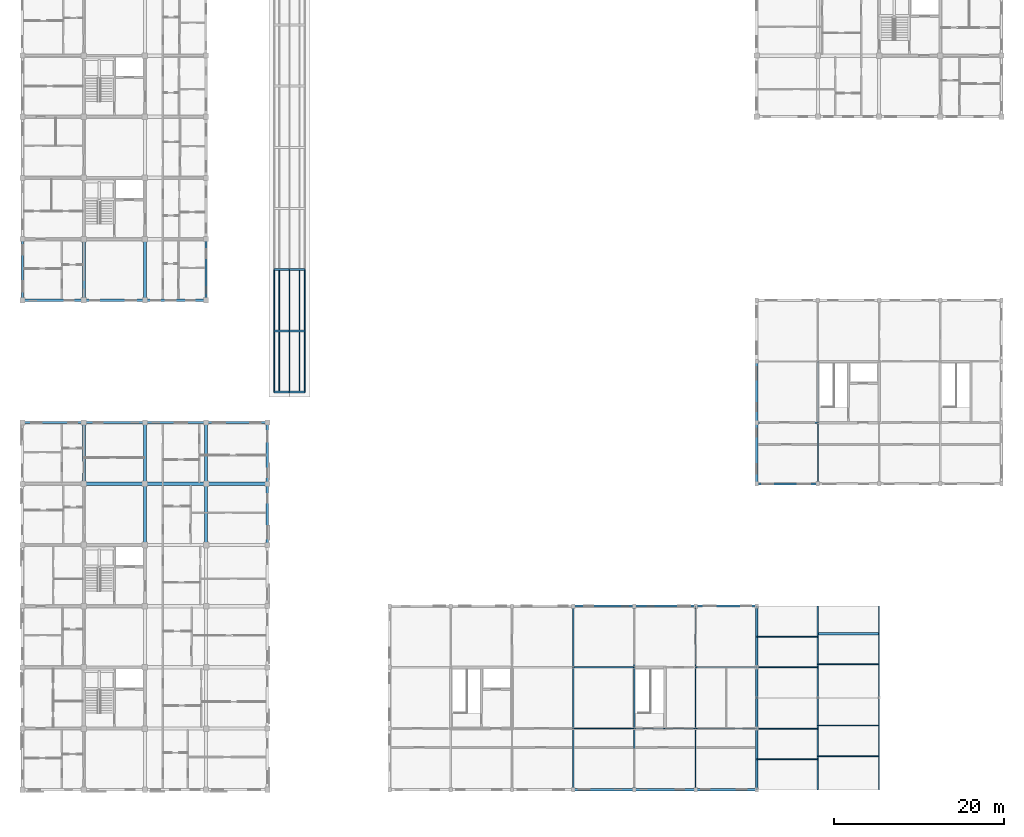
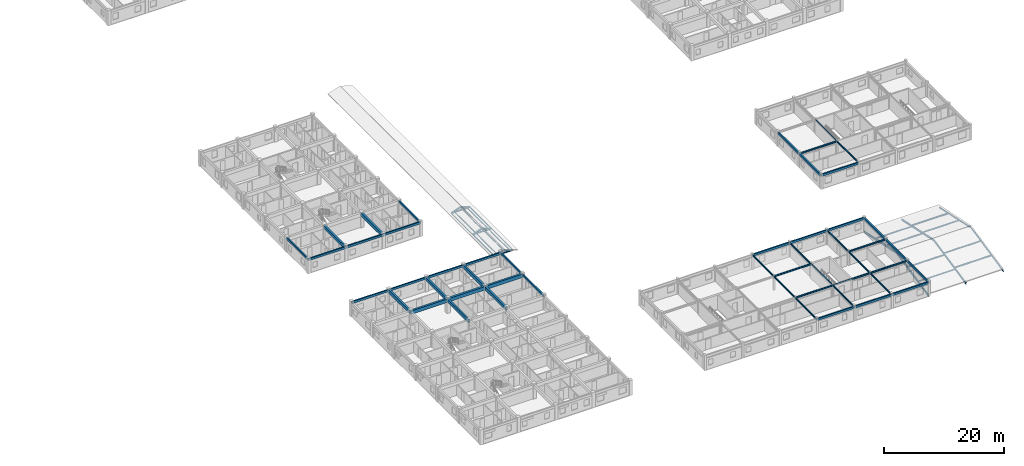
# One storey, part 9 of 50: 71 beams, 12 members.
"""IFC4 building model written with IfcOpenShell, lengths in metres."""

from ifc_helpers import new_model, si_unit, direction, frame, origin, origin_2d, place, context, subcontext, project, spatial, rectangle, i_section, extrude, material, material_profile, profile_set, type_object, element, save


model = new_model("IFC4")

# Units and contexts
model_context = context("Model", 3, precision=1e-05, world=origin(), true_north=direction((0.0, 1.0)))
body_context = subcontext(model_context, "Body", "Model", "MODEL_VIEW")
ifc_project = project(units=[si_unit("LENGTHUNIT", "METRE"), si_unit("AREAUNIT", "SQUARE_METRE"), si_unit("VOLUMEUNIT", "CUBIC_METRE"), si_unit("PLANEANGLEUNIT", "RADIAN"), si_unit("MASSUNIT", "GRAM", prefix="KILO"), si_unit("THERMODYNAMICTEMPERATUREUNIT", "KELVIN"), si_unit("POWERUNIT", "WATT")], contexts=[model_context])

# Site, building, storey
site_placement = place(None, origin())
site = spatial("IfcSite", under=ifc_project, at=site_placement, CompositionType="ELEMENT")
building_placement = place(site_placement, origin())
building = spatial("IfcBuilding", under=site, at=building_placement, Name="Tavuni Mirador Residences", CompositionType="ELEMENT")
storey_placement = place(building_placement, frame((0.0, 0.0, 4.5)))
storey = spatial("IfcBuildingStorey", under=building, at=storey_placement, Name="L01", CompositionType="ELEMENT", Elevation=4.5)

# Beams
ifc_material_1 = material(Name="Precast concrete C40/50", Category="concrete")
ifc_material_profile_1 = material_profile(ifc_material_1, rectangle(XDim=0.35009765625, YDim=0.64990234375, at=origin_2d()), Name="PC 350x650", Category="concrete")
ifc_profile_set_1 = profile_set([ifc_material_profile_1], Name="Precast concrete C40/50")
beam_type_1 = type_object("IfcBeamType", Name="BT-B650", PredefinedType="BEAM", material=ifc_profile_set_1)
for number, where, z_axis, x_axis, name in (
    (1, (10.800048828125, 43.199951171875, 2.544921875), (0.0, 1.0, 0.0), (-1.0, 0.0, 0.0), "BMY-BLK-A-L01-01-05"),
    (2, (18.0, 36.0, 2.544921875), (0.0, 1.0, 0.0), (-1.0, 0.0, 0.0), "BMY-BLK-A-L01-02-04"),
    (3, (18.0, 43.199951171875, 2.544921875), (0.0, 1.0, 0.0), (-1.0, 0.0, 0.0), "BMY-BLK-A-L01-02-05"),
    (4, (25.199951171875, 36.0, 2.544921875), (0.0, 1.0, 0.0), (-1.0, 0.0, 0.0), "BMY-BLK-A-L01-03-04"),
    (5, (25.199951171875, 43.199951171875, 2.544921875), (0.0, 1.0, 0.0), (-1.0, 0.0, 0.0), "BMY-BLK-A-L01-03-05"),
    (6, (10.800048828125, 64.800048828125, 2.5849609375), (0.0, 1.0, 0.0), (-1.0, 0.0, 0.0), "BMY-BLK-B-L01-01-00"),
    (7, (18.0, 64.800048828125, 2.5849609375), (0.0, 1.0, 0.0), (-1.0, 0.0, 0.0), "BMY-BLK-B-L01-02-00"),
):
    element("IfcBeam", number, at=place(storey_placement, frame(where, z_axis=z_axis, x_axis=x_axis)), inside=storey, type_object=beam_type_1, Name=name, PredefinedType="BEAM", context=body_context, shape_type="SweptSolid", body=[
        extrude(rectangle(XDim=0.35009765625, YDim=0.64990234375, at=origin_2d()), origin(), (0.0, 0.0, 1.0), 7.199951171875),
    ])
ifc_material_profile_2 = material_profile(ifc_material_1, rectangle(XDim=0.39990234375, YDim=0.699951171875, at=origin_2d()), Name="PC 400x700", Category="concrete")
ifc_profile_set_2 = profile_set([ifc_material_profile_2], Name="Precast concrete C40/50")
beam_type_2 = type_object("IfcBeamType", Name="BT-B700", PredefinedType="BEAM", material=ifc_profile_set_2)
for number, where, z_axis, x_axis, name in (
    (8, (10.800048828125, 43.199951171875, 2.52001953125), (1.0, 0.0, 0.0), (0.0, 1.0, 0.0), "BMX-BLK-A-L01-01-05"),
    (9, (18.0, 43.199951171875, 2.52001953125), (1.0, 0.0, 0.0), (0.0, 1.0, 0.0), "BMX-BLK-A-L01-02-05"),
    (10, (25.199951171875, 43.199951171875, 2.52001953125), (1.0, 0.0, 0.0), (0.0, 1.0, 0.0), "BMX-BLK-A-L01-03-05"),
):
    element("IfcBeam", number, at=place(storey_placement, frame(where, z_axis=z_axis, x_axis=x_axis)), inside=storey, type_object=beam_type_2, Name=name, PredefinedType="BEAM", context=body_context, shape_type="SweptSolid", body=[
        extrude(rectangle(XDim=0.39990234375, YDim=0.699951171875, at=origin_2d()), origin(), (0.0, 0.0, 1.0), 7.199951171875),
    ])
ifc_material_profile_3 = material_profile(ifc_material_1, rectangle(XDim=0.25, YDim=0.419921875, at=origin_2d()), Name="PC 250x420", Category="concrete")
ifc_profile_set_3 = profile_set([ifc_material_profile_3], Name="Precast concrete C40/50")
beam_type_3 = type_object("IfcBeamType", Name="BT-SP420", PredefinedType="SPANDREL", material=ifc_profile_set_3)
for number, where, z_axis, x_axis, name in (
    (11, (3.60009765625, 50.39990234375, 2.659912109375), (1.0, 0.0, 0.0), (0.0, 1.0, 0.0), "BMX-BLK-A-L01-00-06"),
    (12, (10.800048828125, 50.39990234375, 2.659912109375), (1.0, 0.0, 0.0), (0.0, 1.0, 0.0), "BMX-BLK-A-L01-01-06"),
    (13, (18.0, 50.39990234375, 2.659912109375), (1.0, 0.0, 0.0), (0.0, 1.0, 0.0), "BMX-BLK-A-L01-02-06"),
    (14, (25.199951171875, 50.39990234375, 2.659912109375), (1.0, 0.0, 0.0), (0.0, 1.0, 0.0), "BMX-BLK-A-L01-03-06"),
    (15, (32.39990234375, 36.0, 2.659912109375), (0.0, 1.0, 0.0), (-1.0, 0.0, 0.0), "BMY-BLK-A-L01-04-04"),
    (16, (32.39990234375, 43.199951171875, 2.659912109375), (0.0, 1.0, 0.0), (-1.0, 0.0, 0.0), "BMY-BLK-A-L01-04-05"),
    (17, (3.60009765625, 64.800048828125, 2.699951171875), (1.0, 0.0, 0.0), (0.0, 1.0, 0.0), "BMX-BLK-B-L01-00-00"),
    (18, (10.800048828125, 64.800048828125, 2.699951171875), (1.0, 0.0, 0.0), (0.0, 1.0, 0.0), "BMX-BLK-B-L01-01-00"),
    (19, (18.0, 64.800048828125, 2.699951171875), (1.0, 0.0, 0.0), (0.0, 1.0, 0.0), "BMX-BLK-B-L01-02-00"),
    (20, (3.60009765625, 64.800048828125, 2.699951171875), (0.0, 1.0, 0.0), (-1.0, 0.0, 0.0), "BMY-BLK-B-L01-00-00"),
    (21, (25.199951171875, 64.800048828125, 2.699951171875), (0.0, 1.0, 0.0), (-1.0, 0.0, 0.0), "BMY-BLK-B-L01-03-00"),
    (22, (90.0, 43.199951171875, 2.7099609375), (1.0, 0.0, 0.0), (0.0, 1.0, 0.0), "BMX-PAV-NURS-L01-00-00"),
    (23, (90.0, 43.199951171875, 2.7099609375), (0.0, 1.0, 0.0), (-1.0, 0.0, 0.0), "BMY-PAV-NURS-L01-00-00"),
):
    element("IfcBeam", number, at=place(storey_placement, frame(where, z_axis=z_axis, x_axis=x_axis)), inside=storey, type_object=beam_type_3, Name=name, PredefinedType="SPANDREL", context=body_context, shape_type="SweptSolid", body=[
        extrude(rectangle(XDim=0.25, YDim=0.419921875, at=origin_2d()), origin(), (0.0, 0.0, 1.0), 7.199951171875),
    ])
for number, where, z_axis, x_axis, name in (
    (24, (90.0, 50.39990234375, 2.7099609375), (0.0, 1.0, 0.0), (-1.0, 0.0, 0.0), "BMY-PAV-NURS-L01-00-01"),
    (25, (68.39990234375, 7.199951171875, 2.7099609375), (1.0, 0.0, 0.0), (0.0, 1.0, 0.0), "BMX-PAV-SHOP-L01-03-00"),
):
    element("IfcBeam", number, at=place(storey_placement, frame(where, z_axis=z_axis, x_axis=x_axis)), inside=storey, type_object=beam_type_3, Name=name, PredefinedType="SPANDREL", context=body_context, shape_type="SweptSolid", body=[
        extrude(rectangle(XDim=0.25, YDim=0.419921875, at=origin_2d()), origin(), (0.0, 0.0, 1.0), 7.2001953125),
    ])
for number, where, z_axis, x_axis, name in (
    (26, (75.60009765625, 7.199951171875, 2.7099609375), (1.0, 0.0, 0.0), (0.0, 1.0, 0.0), "BMX-PAV-SHOP-L01-04-00"),
    (27, (82.800048828125, 7.199951171875, 2.7099609375), (1.0, 0.0, 0.0), (0.0, 1.0, 0.0), "BMX-PAV-SHOP-L01-05-00"),
):
    element("IfcBeam", number, at=place(storey_placement, frame(where, z_axis=z_axis, x_axis=x_axis)), inside=storey, type_object=beam_type_3, Name=name, PredefinedType="SPANDREL", context=body_context, shape_type="SweptSolid", body=[
        extrude(rectangle(XDim=0.25, YDim=0.419921875, at=origin_2d()), origin(), (0.0, 0.0, 1.0), 7.199951171875),
    ])
beam_1_placement = place(storey_placement, frame((68.39990234375, 28.800048828125, 2.7099609375), z_axis=(1.0, 0.0, 0.0), x_axis=(0.0, 1.0, 0.0)))
element("IfcBeam", 28, at=beam_1_placement, inside=storey, type_object=beam_type_3, Name="BMX-PAV-SHOP-L01-03-03", PredefinedType="SPANDREL", context=body_context, shape_type="SweptSolid", body=[
    extrude(rectangle(XDim=0.25, YDim=0.419921875, at=origin_2d()), origin(), (0.0, 0.0, 1.0), 7.2001953125),
])
for number, where, z_axis, x_axis, name in (
    (29, (75.60009765625, 28.800048828125, 2.7099609375), (1.0, 0.0, 0.0), (0.0, 1.0, 0.0), "BMX-PAV-SHOP-L01-04-03"),
    (30, (82.800048828125, 28.800048828125, 2.7099609375), (1.0, 0.0, 0.0), (0.0, 1.0, 0.0), "BMX-PAV-SHOP-L01-05-03"),
    (31, (90.0, 7.199951171875, 2.7099609375), (0.0, 1.0, 0.0), (-1.0, 0.0, 0.0), "BMY-PAV-SHOP-L01-06-00"),
):
    element("IfcBeam", number, at=place(storey_placement, frame(where, z_axis=z_axis, x_axis=x_axis)), inside=storey, type_object=beam_type_3, Name=name, PredefinedType="SPANDREL", context=body_context, shape_type="SweptSolid", body=[
        extrude(rectangle(XDim=0.25, YDim=0.419921875, at=origin_2d()), origin(), (0.0, 0.0, 1.0), 7.199951171875),
    ])
beam_2_placement = place(storey_placement, frame((90.0, 14.39990234375, 2.7099609375), z_axis=(0.0, 1.0, 0.0), x_axis=(-1.0, 0.0, 0.0)))
element("IfcBeam", 32, at=beam_2_placement, inside=storey, type_object=beam_type_3, Name="BMY-PAV-SHOP-L01-06-01", PredefinedType="SPANDREL", context=body_context, shape_type="SweptSolid", body=[
    extrude(rectangle(XDim=0.25, YDim=0.419921875, at=origin_2d()), origin(), (0.0, 0.0, 1.0), 7.2001953125),
])
beam_3_placement = place(storey_placement, frame((90.0, 21.60009765625, 2.7099609375), z_axis=(0.0, 1.0, 0.0), x_axis=(-1.0, 0.0, 0.0)))
element("IfcBeam", 33, at=beam_3_placement, inside=storey, type_object=beam_type_3, Name="BMY-PAV-SHOP-L01-06-02", PredefinedType="SPANDREL", context=body_context, shape_type="SweptSolid", body=[
    extrude(rectangle(XDim=0.25, YDim=0.419921875, at=origin_2d()), origin(), (0.0, 0.0, 1.0), 7.199951171875),
])
ifc_material_2 = material(Name="Structural steel S355", Category="steel")
ifc_material_profile_4 = material_profile(ifc_material_2, i_section(OverallWidth=0.219970703125, OverallDepth=0.2099609375, WebThickness=0.007080078125, FlangeThickness=0.010986328125, FilletRadius=0.01806640625, at=origin_2d()), Name="HEA 220", Category="steel")
ifc_profile_set_4 = profile_set([ifc_material_profile_4], Name="Structural steel S355")
beam_type_4 = type_object("IfcBeamType", Name="BT-ST-HEA220", PredefinedType="SPANDREL", material=ifc_profile_set_4)
for number, where, z_axis, x_axis, name in (
    (34, (33.199951171875, 54.0, -0.419921875), (1.0, 0.0, 0.0), (0.0, 1.0, 0.0), "COLO-TIE-00"),
    (35, (33.199951171875, 61.199951171875, -0.419921875), (1.0, 0.0, 0.0), (0.0, 1.0, 0.0), "COLO-TIE-01"),
    (36, (33.199951171875, 68.39990234375, -0.419921875), (1.0, 0.0, 0.0), (0.0, 1.0, 0.0), "COLO-TIE-02"),
):
    element("IfcBeam", number, at=place(storey_placement, frame(where, z_axis=z_axis, x_axis=x_axis)), inside=storey, type_object=beam_type_4, Name=name, PredefinedType="SPANDREL", context=body_context, shape_type="SweptSolid", body=[
        extrude(i_section(OverallWidth=0.219970703125, OverallDepth=0.2099609375, WebThickness=0.007080078125, FlangeThickness=0.010986328125, FilletRadius=0.01806640625, at=origin_2d()), origin(), (0.0, 0.0, 1.0), 3.60009765625),
    ])
ifc_material_profile_5 = material_profile(ifc_material_2, i_section(OverallWidth=0.260009765625, OverallDepth=0.25, WebThickness=0.007568359375, FlangeThickness=0.012451171875, FilletRadius=0.02392578125, at=origin_2d()), Name="HEA 260", Category="steel")
ifc_profile_set_5 = profile_set([ifc_material_profile_5], Name="Structural steel S355")
beam_type_5 = type_object("IfcBeamType", Name="BT-ST-HEA260", PredefinedType="BEAM", material=ifc_profile_set_5)
beam_4_placement = place(storey_placement, frame((97.22998046875, 25.56005859375, 0.635009765625), z_axis=(1.0, 0.0, 0.0), x_axis=(0.0, 1.0, 0.0)))
element("IfcBeam", 37, at=beam_4_placement, inside=storey, type_object=beam_type_5, Name="JST-SHOP-CP-4-2", PredefinedType="BEAM", context=body_context, shape_type="SweptSolid", body=[
    extrude(i_section(OverallWidth=0.260009765625, OverallDepth=0.25, WebThickness=0.007568359375, FlangeThickness=0.012451171875, FilletRadius=0.02392578125, at=origin_2d()), origin(), (0.0, 0.0, 1.0), 7.14013671875),
])
ifc_material_profile_6 = material_profile(ifc_material_2, i_section(OverallWidth=0.091064453125, OverallDepth=0.179931640625, WebThickness=0.00537109375, FlangeThickness=0.008056640625, FilletRadius=0.009033203125, at=origin_2d()), Name="IPE 180", Category="steel")
ifc_profile_set_6 = profile_set([ifc_material_profile_6], Name="Structural steel S355")
beam_type_6 = type_object("IfcBeamType", Name="BT-ST-IPE180", PredefinedType="JOIST", material=ifc_profile_set_6)
beam_5_placement = place(storey_placement, frame((97.22998046875, 21.9599609375, 1.385009765625), z_axis=(1.0, 0.0, 0.0), x_axis=(0.0, 1.0, 0.0)))
element("IfcBeam", 38, at=beam_5_placement, inside=storey, type_object=beam_type_6, Name="JST-SHOP-CP-3-2", PredefinedType="JOIST", context=body_context, shape_type="SweptSolid", body=[
    extrude(i_section(OverallWidth=0.091064453125, OverallDepth=0.179931640625, WebThickness=0.00537109375, FlangeThickness=0.008056640625, FilletRadius=0.009033203125, at=origin_2d()), origin(), (0.0, 0.0, 1.0), 7.14013671875),
])
beam_6_placement = place(storey_placement, frame((90.030029296875, 25.199951171875, 0.7099609375), z_axis=(1.0, 0.0, 0.0), x_axis=(0.0, 1.0, 0.0)))
element("IfcBeam", 39, at=beam_6_placement, inside=storey, type_object=beam_type_6, Name="JST-SHOP-CP-4-1", PredefinedType="JOIST", context=body_context, shape_type="SweptSolid", body=[
    extrude(i_section(OverallWidth=0.091064453125, OverallDepth=0.179931640625, WebThickness=0.00537109375, FlangeThickness=0.008056640625, FilletRadius=0.009033203125, at=origin_2d()), origin(), (0.0, 0.0, 1.0), 7.139892578125),
])
ifc_material_profile_7 = material_profile(ifc_material_2, i_section(OverallWidth=0.10009765625, OverallDepth=0.199951171875, WebThickness=0.005615234375, FlangeThickness=0.008544921875, FilletRadius=0.011962890625, at=origin_2d()), Name="IPE 200", Category="steel")
ifc_profile_set_7 = profile_set([ifc_material_profile_7], Name="Structural steel S355")
beam_type_7 = type_object("IfcBeamType", Name="BT-ST-IPE200", PredefinedType="JOIST", material=ifc_profile_set_7)
beam_7_placement = place(storey_placement, frame((97.22998046875, 14.760009765625, 1.534912109375), z_axis=(1.0, 0.0, 0.0), x_axis=(0.0, 1.0, 0.0)))
element("IfcBeam", 40, at=beam_7_placement, inside=storey, type_object=beam_type_7, Name="JST-SHOP-CP-2-2", PredefinedType="JOIST", context=body_context, shape_type="SweptSolid", body=[
    extrude(i_section(OverallWidth=0.10009765625, OverallDepth=0.199951171875, WebThickness=0.005615234375, FlangeThickness=0.008544921875, FilletRadius=0.011962890625, at=origin_2d()), origin(), (0.0, 0.0, 1.0), 7.14013671875),
])
beam_8_placement = place(storey_placement, frame((90.030029296875, 21.60009765625, 1.4599609375), z_axis=(1.0, 0.0, 0.0), x_axis=(0.0, 1.0, 0.0)))
element("IfcBeam", 41, at=beam_8_placement, inside=storey, type_object=beam_type_7, Name="JST-SHOP-CP-3-1", PredefinedType="JOIST", context=body_context, shape_type="SweptSolid", body=[
    extrude(i_section(OverallWidth=0.10009765625, OverallDepth=0.199951171875, WebThickness=0.005615234375, FlangeThickness=0.008544921875, FilletRadius=0.011962890625, at=origin_2d()), origin(), (0.0, 0.0, 1.0), 7.139892578125),
])
ifc_material_profile_8 = material_profile(ifc_material_2, i_section(OverallWidth=0.110107421875, OverallDepth=0.219970703125, WebThickness=0.005859375, FlangeThickness=0.00927734375, FilletRadius=0.011962890625, at=origin_2d()), Name="IPE 220", Category="steel")
ifc_profile_set_8 = profile_set([ifc_material_profile_8], Name="Structural steel S355")
beam_type_8 = type_object("IfcBeamType", Name="BT-ST-IPE220", PredefinedType="JOIST", material=ifc_profile_set_8)
beam_9_placement = place(storey_placement, frame((97.22998046875, 11.159912109375, 0.784912109375), z_axis=(1.0, 0.0, 0.0), x_axis=(0.0, 1.0, 0.0)))
element("IfcBeam", 42, at=beam_9_placement, inside=storey, type_object=beam_type_8, Name="JST-SHOP-CP-1-2", PredefinedType="JOIST", context=body_context, shape_type="SweptSolid", body=[
    extrude(i_section(OverallWidth=0.110107421875, OverallDepth=0.219970703125, WebThickness=0.005859375, FlangeThickness=0.00927734375, FilletRadius=0.011962890625, at=origin_2d()), origin(), (0.0, 0.0, 1.0), 7.14013671875),
])
beam_10_placement = place(storey_placement, frame((90.030029296875, 14.39990234375, 1.4599609375), z_axis=(1.0, 0.0, 0.0), x_axis=(0.0, 1.0, 0.0)))
element("IfcBeam", 43, at=beam_10_placement, inside=storey, type_object=beam_type_8, Name="JST-SHOP-CP-2-1", PredefinedType="JOIST", context=body_context, shape_type="SweptSolid", body=[
    extrude(i_section(OverallWidth=0.110107421875, OverallDepth=0.219970703125, WebThickness=0.005859375, FlangeThickness=0.00927734375, FilletRadius=0.011962890625, at=origin_2d()), origin(), (0.0, 0.0, 1.0), 7.139892578125),
])
for number, where, z_axis, x_axis, name in (
    (44, (33.199951171875, 54.0, -0.419921875), (0.0, 1.0, 0.0), (-1.0, 0.0, 0.0), "COLO-EB-W-00"),
    (45, (36.800048828125, 54.0, -0.419921875), (0.0, 1.0, 0.0), (-1.0, 0.0, 0.0), "COLO-EB-E-00"),
    (46, (33.199951171875, 61.199951171875, -0.419921875), (0.0, 1.0, 0.0), (-1.0, 0.0, 0.0), "COLO-EB-W-01"),
    (47, (36.800048828125, 61.199951171875, -0.419921875), (0.0, 1.0, 0.0), (-1.0, 0.0, 0.0), "COLO-EB-E-01"),
):
    element("IfcBeam", number, at=place(storey_placement, frame(where, z_axis=z_axis, x_axis=x_axis)), inside=storey, type_object=beam_type_8, Name=name, PredefinedType="JOIST", context=body_context, shape_type="SweptSolid", body=[
        extrude(i_section(OverallWidth=0.110107421875, OverallDepth=0.219970703125, WebThickness=0.005859375, FlangeThickness=0.00927734375, FilletRadius=0.011962890625, at=origin_2d()), origin(), (0.0, 0.0, 1.0), 7.199951171875),
    ])
ifc_material_profile_9 = material_profile(ifc_material_2, i_section(OverallWidth=0.1201171875, OverallDepth=0.239990234375, WebThickness=0.006103515625, FlangeThickness=0.009765625, FilletRadius=0.014892578125, at=origin_2d()), Name="IPE 240", Category="steel")
ifc_profile_set_9 = profile_set([ifc_material_profile_9], Name="Structural steel S355")
beam_type_9 = type_object("IfcBeamType", Name="BT-ST-IPE240", PredefinedType="JOIST", material=ifc_profile_set_9)
beam_11_placement = place(storey_placement, frame((90.030029296875, 10.800048828125, 0.7099609375), z_axis=(1.0, 0.0, 0.0), x_axis=(0.0, 1.0, 0.0)))
element("IfcBeam", 48, at=beam_11_placement, inside=storey, type_object=beam_type_9, Name="JST-SHOP-CP-1-1", PredefinedType="JOIST", context=body_context, shape_type="SweptSolid", body=[
    extrude(i_section(OverallWidth=0.1201171875, OverallDepth=0.239990234375, WebThickness=0.006103515625, FlangeThickness=0.009765625, FilletRadius=0.014892578125, at=origin_2d()), origin(), (0.0, 0.0, 1.0), 7.139892578125),
])
ifc_material_profile_10 = material_profile(ifc_material_2, i_section(OverallWidth=0.135009765625, OverallDepth=0.27001953125, WebThickness=0.006591796875, FlangeThickness=0.01025390625, FilletRadius=0.014892578125, at=origin_2d()), Name="IPE 270", Category="steel")
ifc_profile_set_10 = profile_set([ifc_material_profile_10], Name="Structural steel S355")
beam_type_10 = type_object("IfcBeamType", Name="BT-ST-IPE270", PredefinedType="BEAM", material=ifc_profile_set_10)
for number, where, z_axis, x_axis, name in (
    (49, (104.39990234375, 7.199951171875, -0.080078125), (0.0, 0.977880954574, 0.209162230535), (-1.0, 0.0, 0.0), "RFT-SHOP-CP-3-S"),
    (50, (104.39990234375, 18.0, 2.22998046875), (0.0, 0.977880954574, -0.209162230535), (-1.0, 0.0, 0.0), "RFT-SHOP-CP-3-N"),
):
    element("IfcBeam", number, at=place(storey_placement, frame(where, z_axis=z_axis, x_axis=x_axis)), inside=storey, type_object=beam_type_10, Name=name, PredefinedType="BEAM", context=body_context, shape_type="SweptSolid", body=[
        extrude(i_section(OverallWidth=0.135009765625, OverallDepth=0.27001953125, WebThickness=0.006591796875, FlangeThickness=0.01025390625, FilletRadius=0.014892578125, at=origin_2d()), origin(), (0.0, 0.0, 1.0), 11.04443359375),
    ])
ifc_material_profile_11 = material_profile(ifc_material_2, i_section(OverallWidth=0.14990234375, OverallDepth=0.300048828125, WebThickness=0.007080078125, FlangeThickness=0.0107421875, FilletRadius=0.014892578125, at=origin_2d()), Name="IPE 300", Category="steel")
ifc_profile_set_11 = profile_set([ifc_material_profile_11], Name="Structural steel S355")
beam_type_11 = type_object("IfcBeamType", Name="BT-ST-IPE300", PredefinedType="BEAM", material=ifc_profile_set_11)
beam_12_placement = place(storey_placement, frame((97.199951171875, 43.199951171875, 2.77001953125), z_axis=(0.0, 1.0, 0.0), x_axis=(-1.0, 0.0, 0.0)))
element("IfcBeam", 51, at=beam_12_placement, inside=storey, type_object=beam_type_11, Name="BMY-PAV-NURS-L01-01-00", PredefinedType="BEAM", context=body_context, shape_type="SweptSolid", body=[
    extrude(i_section(OverallWidth=0.14990234375, OverallDepth=0.300048828125, WebThickness=0.007080078125, FlangeThickness=0.0107421875, FilletRadius=0.014892578125, at=origin_2d()), origin(), (0.0, 0.0, 1.0), 7.199951171875),
])
beam_13_placement = place(storey_placement, frame((97.199951171875, 50.39990234375, 2.77001953125), z_axis=(0.0, 1.0, 0.0), x_axis=(-1.0, 0.0, 0.0)))
element("IfcBeam", 52, at=beam_13_placement, inside=storey, type_object=beam_type_11, Name="BMY-PAV-NURS-L01-01-01", PredefinedType="BEAM", context=body_context, shape_type="SweptSolid", body=[
    extrude(i_section(OverallWidth=0.14990234375, OverallDepth=0.300048828125, WebThickness=0.007080078125, FlangeThickness=0.0107421875, FilletRadius=0.014892578125, at=origin_2d()), origin(), (0.0, 0.0, 1.0), 7.2001953125),
])
beam_14_placement = place(storey_placement, frame((68.39990234375, 7.199951171875, 2.77001953125), z_axis=(0.0, 1.0, 0.0), x_axis=(-1.0, 0.0, 0.0)))
element("IfcBeam", 53, at=beam_14_placement, inside=storey, type_object=beam_type_11, Name="BMY-PAV-SHOP-L01-03-00", PredefinedType="BEAM", context=body_context, shape_type="SweptSolid", body=[
    extrude(i_section(OverallWidth=0.14990234375, OverallDepth=0.300048828125, WebThickness=0.007080078125, FlangeThickness=0.0107421875, FilletRadius=0.014892578125, at=origin_2d()), origin(), (0.0, 0.0, 1.0), 7.199951171875),
])
beam_15_placement = place(storey_placement, frame((68.39990234375, 14.39990234375, 2.77001953125), z_axis=(0.0, 1.0, 0.0), x_axis=(-1.0, 0.0, 0.0)))
element("IfcBeam", 54, at=beam_15_placement, inside=storey, type_object=beam_type_11, Name="BMY-PAV-SHOP-L01-03-01", PredefinedType="BEAM", context=body_context, shape_type="SweptSolid", body=[
    extrude(i_section(OverallWidth=0.14990234375, OverallDepth=0.300048828125, WebThickness=0.007080078125, FlangeThickness=0.0107421875, FilletRadius=0.014892578125, at=origin_2d()), origin(), (0.0, 0.0, 1.0), 7.2001953125),
])
for number, where, z_axis, x_axis, name in (
    (55, (68.39990234375, 21.60009765625, 2.77001953125), (0.0, 1.0, 0.0), (-1.0, 0.0, 0.0), "BMY-PAV-SHOP-L01-03-02"),
    (56, (75.60009765625, 7.199951171875, 2.77001953125), (0.0, 1.0, 0.0), (-1.0, 0.0, 0.0), "BMY-PAV-SHOP-L01-04-00"),
):
    element("IfcBeam", number, at=place(storey_placement, frame(where, z_axis=z_axis, x_axis=x_axis)), inside=storey, type_object=beam_type_11, Name=name, PredefinedType="BEAM", context=body_context, shape_type="SweptSolid", body=[
        extrude(i_section(OverallWidth=0.14990234375, OverallDepth=0.300048828125, WebThickness=0.007080078125, FlangeThickness=0.0107421875, FilletRadius=0.014892578125, at=origin_2d()), origin(), (0.0, 0.0, 1.0), 7.199951171875),
    ])
beam_16_placement = place(storey_placement, frame((75.60009765625, 14.39990234375, 2.77001953125), z_axis=(0.0, 1.0, 0.0), x_axis=(-1.0, 0.0, 0.0)))
element("IfcBeam", 57, at=beam_16_placement, inside=storey, type_object=beam_type_11, Name="BMY-PAV-SHOP-L01-04-01", PredefinedType="BEAM", context=body_context, shape_type="SweptSolid", body=[
    extrude(i_section(OverallWidth=0.14990234375, OverallDepth=0.300048828125, WebThickness=0.007080078125, FlangeThickness=0.0107421875, FilletRadius=0.014892578125, at=origin_2d()), origin(), (0.0, 0.0, 1.0), 7.2001953125),
])
for number, where, z_axis, x_axis, name in (
    (58, (75.60009765625, 21.60009765625, 2.77001953125), (0.0, 1.0, 0.0), (-1.0, 0.0, 0.0), "BMY-PAV-SHOP-L01-04-02"),
    (59, (82.800048828125, 7.199951171875, 2.77001953125), (0.0, 1.0, 0.0), (-1.0, 0.0, 0.0), "BMY-PAV-SHOP-L01-05-00"),
):
    element("IfcBeam", number, at=place(storey_placement, frame(where, z_axis=z_axis, x_axis=x_axis)), inside=storey, type_object=beam_type_11, Name=name, PredefinedType="BEAM", context=body_context, shape_type="SweptSolid", body=[
        extrude(i_section(OverallWidth=0.14990234375, OverallDepth=0.300048828125, WebThickness=0.007080078125, FlangeThickness=0.0107421875, FilletRadius=0.014892578125, at=origin_2d()), origin(), (0.0, 0.0, 1.0), 7.199951171875),
    ])
beam_17_placement = place(storey_placement, frame((82.800048828125, 14.39990234375, 2.77001953125), z_axis=(0.0, 1.0, 0.0), x_axis=(-1.0, 0.0, 0.0)))
element("IfcBeam", 60, at=beam_17_placement, inside=storey, type_object=beam_type_11, Name="BMY-PAV-SHOP-L01-05-01", PredefinedType="BEAM", context=body_context, shape_type="SweptSolid", body=[
    extrude(i_section(OverallWidth=0.14990234375, OverallDepth=0.300048828125, WebThickness=0.007080078125, FlangeThickness=0.0107421875, FilletRadius=0.014892578125, at=origin_2d()), origin(), (0.0, 0.0, 1.0), 7.2001953125),
])
beam_18_placement = place(storey_placement, frame((82.800048828125, 21.60009765625, 2.77001953125), z_axis=(0.0, 1.0, 0.0), x_axis=(-1.0, 0.0, 0.0)))
element("IfcBeam", 61, at=beam_18_placement, inside=storey, type_object=beam_type_11, Name="BMY-PAV-SHOP-L01-05-02", PredefinedType="BEAM", context=body_context, shape_type="SweptSolid", body=[
    extrude(i_section(OverallWidth=0.14990234375, OverallDepth=0.300048828125, WebThickness=0.007080078125, FlangeThickness=0.0107421875, FilletRadius=0.014892578125, at=origin_2d()), origin(), (0.0, 0.0, 1.0), 7.199951171875),
])
ifc_material_profile_12 = material_profile(ifc_material_2, i_section(OverallWidth=0.159912109375, OverallDepth=0.330078125, WebThickness=0.007568359375, FlangeThickness=0.011474609375, FilletRadius=0.01806640625, at=origin_2d()), Name="IPE 330", Category="steel")
ifc_profile_set_12 = profile_set([ifc_material_profile_12], Name="Structural steel S355")
beam_type_12 = type_object("IfcBeamType", Name="BT-ST-IPE330", PredefinedType="BEAM", material=ifc_profile_set_12)
beam_19_placement = place(storey_placement, frame((90.0, 50.39990234375, 2.7548828125), z_axis=(1.0, 0.0, 0.0), x_axis=(0.0, 1.0, 0.0)))
element("IfcBeam", 62, at=beam_19_placement, inside=storey, type_object=beam_type_12, Name="BMX-PAV-NURS-L01-00-01", PredefinedType="BEAM", context=body_context, shape_type="SweptSolid", body=[
    extrude(i_section(OverallWidth=0.159912109375, OverallDepth=0.330078125, WebThickness=0.007568359375, FlangeThickness=0.011474609375, FilletRadius=0.01806640625, at=origin_2d()), origin(), (0.0, 0.0, 1.0), 7.199951171875),
])
beam_20_placement = place(storey_placement, frame((68.39990234375, 14.39990234375, 2.7548828125), z_axis=(1.0, 0.0, 0.0), x_axis=(0.0, 1.0, 0.0)))
element("IfcBeam", 63, at=beam_20_placement, inside=storey, type_object=beam_type_12, Name="BMX-PAV-SHOP-L01-03-01", PredefinedType="BEAM", context=body_context, shape_type="SweptSolid", body=[
    extrude(i_section(OverallWidth=0.159912109375, OverallDepth=0.330078125, WebThickness=0.007568359375, FlangeThickness=0.011474609375, FilletRadius=0.01806640625, at=origin_2d()), origin(), (0.0, 0.0, 1.0), 7.2001953125),
])
for number, where, z_axis, x_axis, name in (
    (64, (75.60009765625, 14.39990234375, 2.7548828125), (1.0, 0.0, 0.0), (0.0, 1.0, 0.0), "BMX-PAV-SHOP-L01-04-01"),
    (65, (82.800048828125, 14.39990234375, 2.7548828125), (1.0, 0.0, 0.0), (0.0, 1.0, 0.0), "BMX-PAV-SHOP-L01-05-01"),
):
    element("IfcBeam", number, at=place(storey_placement, frame(where, z_axis=z_axis, x_axis=x_axis)), inside=storey, type_object=beam_type_12, Name=name, PredefinedType="BEAM", context=body_context, shape_type="SweptSolid", body=[
        extrude(i_section(OverallWidth=0.159912109375, OverallDepth=0.330078125, WebThickness=0.007568359375, FlangeThickness=0.011474609375, FilletRadius=0.01806640625, at=origin_2d()), origin(), (0.0, 0.0, 1.0), 7.199951171875),
    ])
beam_21_placement = place(storey_placement, frame((68.39990234375, 21.60009765625, 2.7548828125), z_axis=(1.0, 0.0, 0.0), x_axis=(0.0, 1.0, 0.0)))
element("IfcBeam", 66, at=beam_21_placement, inside=storey, type_object=beam_type_12, Name="BMX-PAV-SHOP-L01-03-02", PredefinedType="BEAM", context=body_context, shape_type="SweptSolid", body=[
    extrude(i_section(OverallWidth=0.159912109375, OverallDepth=0.330078125, WebThickness=0.007568359375, FlangeThickness=0.011474609375, FilletRadius=0.01806640625, at=origin_2d()), origin(), (0.0, 0.0, 1.0), 7.2001953125),
])
beam_22_placement = place(storey_placement, frame((82.800048828125, 21.60009765625, 2.7548828125), z_axis=(1.0, 0.0, 0.0), x_axis=(0.0, 1.0, 0.0)))
element("IfcBeam", 67, at=beam_22_placement, inside=storey, type_object=beam_type_12, Name="BMX-PAV-SHOP-L01-05-02", PredefinedType="BEAM", context=body_context, shape_type="SweptSolid", body=[
    extrude(i_section(OverallWidth=0.159912109375, OverallDepth=0.330078125, WebThickness=0.007568359375, FlangeThickness=0.011474609375, FilletRadius=0.01806640625, at=origin_2d()), origin(), (0.0, 0.0, 1.0), 7.199951171875),
])
ifc_material_profile_13 = material_profile(ifc_material_2, i_section(OverallWidth=0.169921875, OverallDepth=0.360107421875, WebThickness=0.008056640625, FlangeThickness=0.0126953125, FilletRadius=0.01806640625, at=origin_2d()), Name="IPE 360", Category="steel")
ifc_profile_set_13 = profile_set([ifc_material_profile_13], Name="Structural steel S355")
beam_type_13 = type_object("IfcBeamType", Name="BT-ST-IPE360", PredefinedType="USERDEFINED", material=ifc_profile_set_13)
for number, where, z_axis, x_axis, name in (
    (68, (97.199951171875, 7.199951171875, -0.080078125), (0.0, 0.977880954574, 0.209162230535), (-1.0, 0.0, 0.0), "RFT-SHOP-CP-2-S"),
    (69, (97.199951171875, 18.0, 2.22998046875), (0.0, 0.977880954574, -0.209162230535), (-1.0, 0.0, 0.0), "RFT-SHOP-CP-2-N"),
):
    element("IfcBeam", number, at=place(storey_placement, frame(where, z_axis=z_axis, x_axis=x_axis)), inside=storey, type_object=beam_type_13, Name=name, ObjectType="GIRDER", PredefinedType="USERDEFINED", context=body_context, shape_type="SweptSolid", body=[
        extrude(i_section(OverallWidth=0.169921875, OverallDepth=0.360107421875, WebThickness=0.008056640625, FlangeThickness=0.0126953125, FilletRadius=0.01806640625, at=origin_2d()), origin(), (0.0, 0.0, 1.0), 11.04443359375),
    ])
ifc_material_profile_14 = material_profile(ifc_material_2, i_section(OverallWidth=0.179931640625, OverallDepth=0.39990234375, WebThickness=0.008544921875, FlangeThickness=0.013427734375, FilletRadius=0.02099609375, at=origin_2d()), Name="IPE 400", Category="steel")
ifc_profile_set_14 = profile_set([ifc_material_profile_14], Name="Structural steel S355")
beam_type_14 = type_object("IfcBeamType", Name="BT-ST-IPE400", PredefinedType="USERDEFINED", material=ifc_profile_set_14)
for number, where, z_axis, x_axis, name in (
    (70, (90.0, 7.199951171875, -0.080078125), (0.0, 0.977880954574, 0.209162230535), (-1.0, 0.0, 0.0), "RFT-SHOP-CP-1-S"),
    (71, (90.0, 18.0, 2.22998046875), (0.0, 0.977880954574, -0.209162230535), (-1.0, 0.0, 0.0), "RFT-SHOP-CP-1-N"),
):
    element("IfcBeam", number, at=place(storey_placement, frame(where, z_axis=z_axis, x_axis=x_axis)), inside=storey, type_object=beam_type_14, Name=name, ObjectType="GIRDER", PredefinedType="USERDEFINED", context=body_context, shape_type="SweptSolid", body=[
        extrude(i_section(OverallWidth=0.179931640625, OverallDepth=0.39990234375, WebThickness=0.008544921875, FlangeThickness=0.013427734375, FilletRadius=0.02099609375, at=origin_2d()), origin(), (0.0, 0.0, 1.0), 11.04443359375),
    ])

# Members
ifc_material_profile_15 = material_profile(ifc_material_2, i_section(OverallWidth=0.239990234375, OverallDepth=0.22998046875, WebThickness=0.007568359375, FlangeThickness=0.011962890625, FilletRadius=0.02099609375, at=origin_2d()), Name="HEA 240", Category="steel")
ifc_profile_set_15 = profile_set([ifc_material_profile_15], Name="Structural steel S355")
member_type_1 = type_object("IfcMemberType", Name="MT-CH-HEA240", PredefinedType="CHORD", material=ifc_profile_set_15)
for number, where, z_axis, x_axis, name in (
    (72, (33.199951171875, 54.0, -0.419921875), (0.942235306074, 0.0, 0.334951680079), (0.0, 1.0, 0.0), "COLO-RAF-W-00"),
    (73, (35.0, 54.0, 0.219970703125), (0.942235306074, 0.0, -0.334951680079), (0.0, 1.0, 0.0), "COLO-RAF-E-00"),
    (74, (33.199951171875, 61.199951171875, -0.419921875), (0.942235306074, 0.0, 0.334951680079), (0.0, 1.0, 0.0), "COLO-RAF-W-01"),
    (75, (35.0, 61.199951171875, 0.219970703125), (0.942235306074, 0.0, -0.334951680079), (0.0, 1.0, 0.0), "COLO-RAF-E-01"),
    (76, (33.199951171875, 68.39990234375, -0.419921875), (0.942235306074, 0.0, 0.334951680079), (0.0, 1.0, 0.0), "COLO-RAF-W-02"),
    (77, (35.0, 68.39990234375, 0.219970703125), (0.942235306074, 0.0, -0.334951680079), (0.0, 1.0, 0.0), "COLO-RAF-E-02"),
):
    element("IfcMember", number, at=place(storey_placement, frame(where, z_axis=z_axis, x_axis=x_axis)), inside=storey, type_object=member_type_1, Name=name, PredefinedType="CHORD", context=body_context, shape_type="SweptSolid", body=[
        extrude(i_section(OverallWidth=0.239990234375, OverallDepth=0.22998046875, WebThickness=0.007568359375, FlangeThickness=0.011962890625, FilletRadius=0.02099609375, at=origin_2d()), origin(), (0.0, 0.0, 1.0), 1.910400390625),
    ])
ifc_material_profile_16 = material_profile(ifc_material_2, i_section(OverallWidth=0.08203125, OverallDepth=0.159912109375, WebThickness=0.0048828125, FlangeThickness=0.00732421875, FilletRadius=0.009033203125, at=origin_2d()), Name="IPE 160", Category="steel")
ifc_profile_set_16 = profile_set([ifc_material_profile_16], Name="Structural steel S355")
member_type_2 = type_object("IfcMemberType", Name="MT-PR-IPE160", PredefinedType="PURLIN", material=ifc_profile_set_16)
for number, where, z_axis, x_axis, name in (
    (78, (33.800048828125, 54.0, -0.300048828125), (0.0, 1.0, 0.0), (-1.0, 0.0, 0.0), "COLO-PUR-00-338"),
    (79, (35.0, 54.0, 0.1201171875), (0.0, 1.0, 0.0), (-1.0, 0.0, 0.0), "COLO-PUR-00-350"),
    (80, (36.199951171875, 54.0, -0.300048828125), (0.0, 1.0, 0.0), (-1.0, 0.0, 0.0), "COLO-PUR-00-362"),
    (81, (33.800048828125, 61.199951171875, -0.300048828125), (0.0, 1.0, 0.0), (-1.0, 0.0, 0.0), "COLO-PUR-01-338"),
    (82, (35.0, 61.199951171875, 0.1201171875), (0.0, 1.0, 0.0), (-1.0, 0.0, 0.0), "COLO-PUR-01-350"),
    (83, (36.199951171875, 61.199951171875, -0.300048828125), (0.0, 1.0, 0.0), (-1.0, 0.0, 0.0), "COLO-PUR-01-362"),
):
    element("IfcMember", number, at=place(storey_placement, frame(where, z_axis=z_axis, x_axis=x_axis)), inside=storey, type_object=member_type_2, Name=name, PredefinedType="PURLIN", context=body_context, shape_type="SweptSolid", body=[
        extrude(i_section(OverallWidth=0.08203125, OverallDepth=0.159912109375, WebThickness=0.0048828125, FlangeThickness=0.00732421875, FilletRadius=0.009033203125, at=origin_2d()), origin(), (0.0, 0.0, 1.0), 7.199951171875),
    ])

save(model, "model.ifc")
